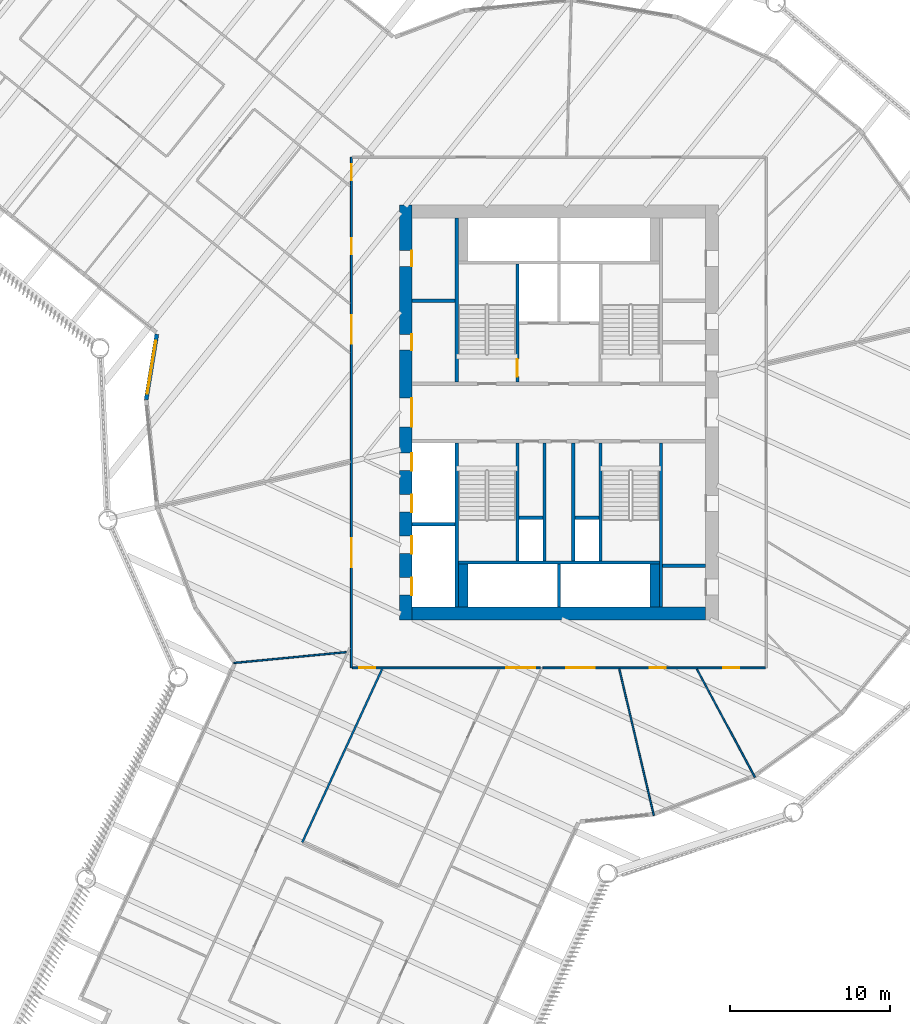
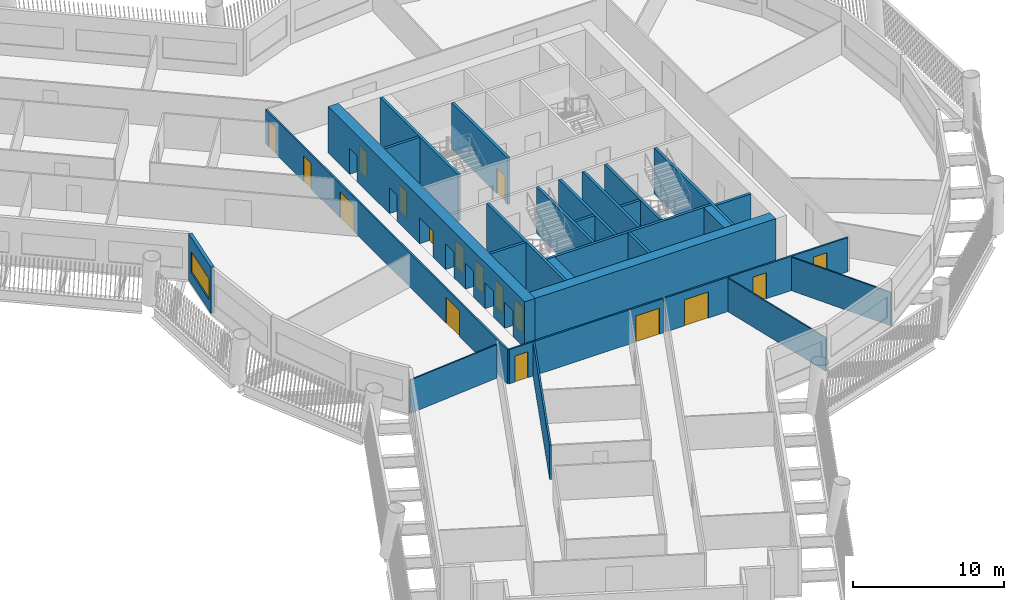
# One storey, part 4 of 16: 27 walls, 17 doors, 1 window, 18 openings.
"""IFC4 building model written with IfcOpenShell, lengths in metres."""

from ifc_helpers import new_model, si_unit, direction, frame, frame_2d, origin, place, context, subcontext, project, spatial, rectangle, extrude, material, layer, layer_set, type_object, element, fill, save


model = new_model("IFC4")

# Units and contexts
model_context = context("Model", 3, precision=1e-05, world=origin(), true_north=direction((0.0, 1.0)))
body_context = subcontext(model_context, "Body", "Model", "MODEL_VIEW")
ifc_project = project(units=[si_unit("LENGTHUNIT", "METRE"), si_unit("AREAUNIT", "SQUARE_METRE"), si_unit("VOLUMEUNIT", "CUBIC_METRE"), si_unit("PLANEANGLEUNIT", "RADIAN"), si_unit("MASSUNIT", "GRAM", prefix="KILO")], contexts=[model_context])

# Site, building, storey
site_placement = place(None, origin())
site = spatial("IfcSite", under=ifc_project, at=site_placement, CompositionType="ELEMENT")
building_placement = place(site_placement, origin())
building = spatial("IfcBuilding", under=site, at=building_placement, Name="Tarsis Ring Headquarters", CompositionType="ELEMENT")
storey_placement = place(building_placement, frame((0.0, 0.0, 112.300048828125)))
storey = spatial("IfcBuildingStorey", under=building, at=storey_placement, Name="L25", CompositionType="ELEMENT", Elevation=112.300048828125)

# Walls
ifc_material_1 = material(Name="Blockwork", Category="masonry")
ifc_layer_1 = layer(ifc_material_1, 0.199951171875)
ifc_layer_set_1 = layer_set([ifc_layer_1], Name="Core blockwork wall 200")
wall_type_1 = type_object("IfcWallType", Name="Core blockwork wall 200", PredefinedType="PARTITIONING", material=ifc_layer_set_1)
for number, where, z_axis, x_axis, name in (
    (1, (-9.199951171875, 7.0, 0.0), (0.0, 0.0, 1.0), (1.0, 0.0, 0.0), "Core partition WD6"),
    (2, (6.5, -9.60009765625, 0.0), (0.0, 0.0, 1.0), (1.0, 0.0, 0.0), "Core partition ED1"),
):
    element("IfcWall", number, at=place(storey_placement, frame(where, z_axis=z_axis, x_axis=x_axis)), inside=storey, type_object=wall_type_1, Name=name, PredefinedType="PARTITIONING", context=body_context, shape_type="SweptSolid", body=[
        extrude(rectangle(XDim=2.699951171875, YDim=0.199951171875, at=frame_2d((1.35009765625, 0.0))), origin(), (0.0, 0.0, 1.0), 3.739990234375),
    ])
for number, where, z_axis, x_axis, name in (
    (3, (-2.5, -6.60009765625, 0.0), (0.0, 0.0, 1.0), (1.0, 0.0, 0.0), "Core partition SP1"),
    (4, (1.0, -6.60009765625, 0.0), (0.0, 0.0, 1.0), (1.0, 0.0, 0.0), "Core partition SP3"),
):
    element("IfcWall", number, at=place(storey_placement, frame(where, z_axis=z_axis, x_axis=x_axis)), inside=storey, type_object=wall_type_1, Name=name, PredefinedType="PARTITIONING", context=body_context, shape_type="SweptSolid", body=[
        extrude(rectangle(XDim=1.5, YDim=0.199951171875, at=frame_2d((0.75, 0.0))), origin(), (0.0, 0.0, 1.0), 3.739990234375),
    ])
for number, where, z_axis, x_axis, name in (
    (5, (-0.89990234375, -9.300048828125, 0.0), (0.0, 0.0, 1.0), (0.0, 1.0, 0.0), "Core partition SV1"),
    (6, (0.89990234375, -9.300048828125, 0.0), (0.0, 0.0, 1.0), (0.0, 1.0, 0.0), "Core partition SV2"),
):
    element("IfcWall", number, at=place(storey_placement, frame(where, z_axis=z_axis, x_axis=x_axis)), inside=storey, type_object=wall_type_1, Name=name, PredefinedType="PARTITIONING", context=body_context, shape_type="SweptSolid", body=[
        extrude(rectangle(XDim=7.400146484375, YDim=0.199951171875, at=frame_2d((3.7001953125, 0.0))), origin(), (0.0, 0.0, 1.0), 3.739990234375),
    ])

# Wall, openings, doors
ifc_material_2 = material(Name="Concrete C60/75", Category="concrete")
ifc_layer_2 = layer(ifc_material_2, 0.800048828125)
ifc_layer_set_2 = layer_set([ifc_layer_2], Name="Core wall 800 C60/75")
wall_type_2 = type_object("IfcWallType", Name="Core wall 800 C60/75", PredefinedType="SHEAR", material=ifc_layer_set_2)
wall_1_placement = place(storey_placement, frame((-9.60009765625, -13.0, 0.0), z_axis=(0.0, 0.0, 1.0), x_axis=(0.0, 1.0, 0.0)))
wall_1 = element("IfcWall", 7, at=wall_1_placement, inside=storey, type_object=wall_type_2, Name="Core wall OW", PredefinedType="SHEAR", context=body_context, shape_type="SweptSolid", body=[
    extrude(rectangle(XDim=26.0, YDim=0.800048828125, at=frame_2d((13.0, 0.0))), origin(), (0.0, 0.0, 1.0), 3.739990234375),
])
opening_1_placement = place(wall_1_placement, frame((1.550048828125, 0.0, 0.0)))
opening_1 = element("IfcOpeningElement", 8, at=opening_1_placement, cuts=wall_1, Name="Opening LD-LR1", PredefinedType="OPENING", context=body_context, shape_type="SweptSolid", body=[
    extrude(rectangle(XDim=1.10009765625, YDim=2.10009765625, at=frame_2d((0.550048828125, 1.050048828125))), frame((0.0, 0.409912109375, 0.0), z_axis=(0.0, -1.0, 0.0), x_axis=(1.0, 0.0, 0.0)), (0.0, 0.0, 1.0), 0.820068359375),
])
opening_2_placement = place(wall_1_placement, frame((4.14990234375, 0.0, 0.0)))
opening_2 = element("IfcOpeningElement", 9, at=opening_2_placement, cuts=wall_1, Name="Opening LD-LR2", PredefinedType="OPENING", context=body_context, shape_type="SweptSolid", body=[
    extrude(rectangle(XDim=1.10009765625, YDim=2.10009765625, at=frame_2d((0.550048828125, 1.050048828125))), frame((0.0, 0.409912109375, 0.0), z_axis=(0.0, -1.0, 0.0), x_axis=(1.0, 0.0, 0.0)), (0.0, 0.0, 1.0), 0.820068359375),
])
opening_3_placement = place(wall_1_placement, frame((6.75, 0.0, 0.0)))
opening_3 = element("IfcOpeningElement", 10, at=opening_3_placement, cuts=wall_1, Name="Opening LD-LR3", PredefinedType="OPENING", context=body_context, shape_type="SweptSolid", body=[
    extrude(rectangle(XDim=1.10009765625, YDim=2.10009765625, at=frame_2d((0.550048828125, 1.050048828125))), frame((0.0, 0.409912109375, 0.0), z_axis=(0.0, -1.0, 0.0), x_axis=(1.0, 0.0, 0.0)), (0.0, 0.0, 1.0), 0.820068359375),
])
opening_4_placement = place(wall_1_placement, frame((9.35009765625, 0.0, 0.0)))
opening_4 = element("IfcOpeningElement", 11, at=opening_4_placement, cuts=wall_1, Name="Opening LD-LR4", PredefinedType="OPENING", context=body_context, shape_type="SweptSolid", body=[
    extrude(rectangle(XDim=1.10009765625, YDim=2.10009765625, at=frame_2d((0.550048828125, 1.050048828125))), frame((0.0, 0.409912109375, 0.0), z_axis=(0.0, -1.0, 0.0), x_axis=(1.0, 0.0, 0.0)), (0.0, 0.0, 1.0), 0.820068359375),
])
opening_5_placement = place(wall_1_placement, frame((12.10009765625, 0.0, 0.0)))
opening_5 = element("IfcOpeningElement", 12, at=opening_5_placement, cuts=wall_1, Name="Opening L25-C05", PredefinedType="OPENING", context=body_context, shape_type="SweptSolid", body=[
    extrude(rectangle(XDim=1.800048828125, YDim=2.10009765625, at=frame_2d((0.89990234375, 1.050048828125))), frame((0.0, 0.409912109375, 0.0), z_axis=(0.0, -1.0, 0.0), x_axis=(1.0, 0.0, 0.0)), (0.0, 0.0, 1.0), 0.820068359375),
])
opening_6_placement = place(wall_1_placement, frame((16.89990234375, 0.0, 0.0)))
opening_6 = element("IfcOpeningElement", 13, at=opening_6_placement, cuts=wall_1, Name="Opening L25-C06", PredefinedType="OPENING", context=body_context, shape_type="SweptSolid", body=[
    extrude(rectangle(XDim=1.0, YDim=2.10009765625, at=frame_2d((0.5, 1.050048828125))), frame((0.0, 0.409912109375, 0.0), z_axis=(0.0, -1.0, 0.0), x_axis=(1.0, 0.0, 0.0)), (0.0, 0.0, 1.0), 0.820068359375),
])
opening_7_placement = place(wall_1_placement, frame((22.14990234375, 0.0, 0.0)))
opening_7 = element("IfcOpeningElement", 14, at=opening_7_placement, cuts=wall_1, Name="Opening L25-C07", PredefinedType="OPENING", context=body_context, shape_type="SweptSolid", body=[
    extrude(rectangle(XDim=1.0, YDim=2.10009765625, at=frame_2d((0.5, 1.050048828125))), frame((0.0, 0.409912109375, 0.0), z_axis=(0.0, -1.0, 0.0), x_axis=(1.0, 0.0, 0.0)), (0.0, 0.0, 1.0), 0.820068359375),
])
ifc_material_3 = material(Name="Steel S355", Category="steel")
door_type_1 = type_object("IfcDoorType", Name="Core entry door 1800x2100", OperationType="DOUBLE_DOOR_SINGLE_SWING", PredefinedType="DOOR", material=ifc_material_3)
door_1_placement = place(opening_5_placement, origin())
door_1 = element("IfcDoor", 15, at=door_1_placement, inside=storey, type_object=door_type_1, Name="Core entry door L25", OperationType="DOUBLE_DOOR_SINGLE_SWING", OverallHeight=2.10009765625, OverallWidth=1.800048828125, PredefinedType="DOOR", context=body_context, shape_type="SweptSolid", body=[
    extrude(rectangle(XDim=1.800048828125, YDim=2.10009765625, at=frame_2d((0.89990234375, 1.050048828125))), frame((0.0, -0.35009765625, 0.0), z_axis=(0.0, -1.0, 0.0), x_axis=(1.0, 0.0, 0.0)), (0.0, 0.0, 1.0), 0.050048828125),
])
fill(opening_5, door_1)
door_type_2 = type_object("IfcDoorType", Name="Core room door 1000x2100", OperationType="SINGLE_SWING_LEFT", PredefinedType="DOOR", material=ifc_material_3)
door_2_placement = place(opening_6_placement, origin())
door_2 = element("IfcDoor", 16, at=door_2_placement, inside=storey, type_object=door_type_2, Name="Core room door L25", OperationType="SINGLE_SWING_LEFT", OverallHeight=2.10009765625, OverallWidth=1.0, PredefinedType="DOOR", context=body_context, shape_type="SweptSolid", body=[
    extrude(rectangle(XDim=1.0, YDim=2.10009765625, at=frame_2d((0.5, 1.050048828125))), frame((0.0, -0.35009765625, 0.0), z_axis=(0.0, -1.0, 0.0), x_axis=(1.0, 0.0, 0.0)), (0.0, 0.0, 1.0), 0.050048828125),
])
fill(opening_6, door_2)
door_3_placement = place(opening_7_placement, origin())
door_3 = element("IfcDoor", 17, at=door_3_placement, inside=storey, type_object=door_type_2, Name="Core room door L25", OperationType="SINGLE_SWING_LEFT", OverallHeight=2.10009765625, OverallWidth=1.0, PredefinedType="DOOR", context=body_context, shape_type="SweptSolid", body=[
    extrude(rectangle(XDim=1.0, YDim=2.10009765625, at=frame_2d((0.5, 1.050048828125))), frame((0.0, -0.35009765625, 0.0), z_axis=(0.0, -1.0, 0.0), x_axis=(1.0, 0.0, 0.0)), (0.0, 0.0, 1.0), 0.050048828125),
])
fill(opening_7, door_3)
door_type_3 = type_object("IfcDoorType", Name="Landing door 1100x2100", OperationType="SLIDING_TO_LEFT", PredefinedType="DOOR", material=ifc_material_3)
door_4_placement = place(opening_1_placement, origin())
door_4 = element("IfcDoor", 18, at=door_4_placement, inside=storey, type_object=door_type_3, Name="Landing door LR1 L25", OperationType="SLIDING_TO_LEFT", OverallHeight=2.10009765625, OverallWidth=1.10009765625, PredefinedType="DOOR", context=body_context, shape_type="SweptSolid", body=[
    extrude(rectangle(XDim=1.10009765625, YDim=2.10009765625, at=frame_2d((0.550048828125, 1.050048828125))), frame((0.0, -0.35009765625, 0.0), z_axis=(0.0, -1.0, 0.0), x_axis=(1.0, 0.0, 0.0)), (0.0, 0.0, 1.0), 0.050048828125),
])
fill(opening_1, door_4)
door_5_placement = place(opening_2_placement, origin())
door_5 = element("IfcDoor", 19, at=door_5_placement, inside=storey, type_object=door_type_3, Name="Landing door LR2 L25", OperationType="SLIDING_TO_LEFT", OverallHeight=2.10009765625, OverallWidth=1.10009765625, PredefinedType="DOOR", context=body_context, shape_type="SweptSolid", body=[
    extrude(rectangle(XDim=1.10009765625, YDim=2.10009765625, at=frame_2d((0.550048828125, 1.050048828125))), frame((0.0, -0.35009765625, 0.0), z_axis=(0.0, -1.0, 0.0), x_axis=(1.0, 0.0, 0.0)), (0.0, 0.0, 1.0), 0.050048828125),
])
fill(opening_2, door_5)
door_6_placement = place(opening_3_placement, origin())
door_6 = element("IfcDoor", 20, at=door_6_placement, inside=storey, type_object=door_type_3, Name="Landing door LR3 L25", OperationType="SLIDING_TO_LEFT", OverallHeight=2.10009765625, OverallWidth=1.10009765625, PredefinedType="DOOR", context=body_context, shape_type="SweptSolid", body=[
    extrude(rectangle(XDim=1.10009765625, YDim=2.10009765625, at=frame_2d((0.550048828125, 1.050048828125))), frame((0.0, -0.35009765625, 0.0), z_axis=(0.0, -1.0, 0.0), x_axis=(1.0, 0.0, 0.0)), (0.0, 0.0, 1.0), 0.050048828125),
])
fill(opening_3, door_6)
door_7_placement = place(opening_4_placement, origin())
door_7 = element("IfcDoor", 21, at=door_7_placement, inside=storey, type_object=door_type_3, Name="Landing door LR4 L25", OperationType="SLIDING_TO_LEFT", OverallHeight=2.10009765625, OverallWidth=1.10009765625, PredefinedType="DOOR", context=body_context, shape_type="SweptSolid", body=[
    extrude(rectangle(XDim=1.10009765625, YDim=2.10009765625, at=frame_2d((0.550048828125, 1.050048828125))), frame((0.0, -0.35009765625, 0.0), z_axis=(0.0, -1.0, 0.0), x_axis=(1.0, 0.0, 0.0)), (0.0, 0.0, 1.0), 0.050048828125),
])
fill(opening_4, door_7)

# Walls
wall_2_placement = place(storey_placement, frame((-9.199951171875, -12.60009765625, 0.0), z_axis=(0.0, 0.0, 1.0), x_axis=(1.0, 0.0, 0.0)))
element("IfcWall", 22, at=wall_2_placement, inside=storey, type_object=wall_type_2, Name="Core wall OS", PredefinedType="SHEAR", context=body_context, shape_type="SweptSolid", body=[
    extrude(rectangle(XDim=18.39990234375, YDim=0.800048828125, at=frame_2d((9.199951171875, 0.0))), origin(), (0.0, 0.0, 1.0), 3.739990234375),
])
ifc_material_4 = material(Name="Gypsum board on steel studs", Category="steel")
ifc_layer_3 = layer(ifc_material_4, 0.10009765625)
ifc_layer_set_3 = layer_set([ifc_layer_3], Name="FL partition 100 unrated")
wall_type_3 = type_object("IfcWallType", Name="FL partition 100 unrated", PredefinedType="PARTITIONING", material=ifc_layer_set_3)
wall_3_placement = place(storey_placement, frame((3.78662109375, -16.068115234375, 0.0), z_axis=(0.0, 0.0, 1.0), x_axis=(0.229356465984, -0.973342494455, 0.0)))
element("IfcWall", 23, at=wall_3_placement, inside=storey, type_object=wall_type_3, Name="Partition PW3", PredefinedType="PARTITIONING", context=body_context, shape_type="SweptSolid", body=[
    extrude(rectangle(XDim=9.439697265625, YDim=0.10009765625, at=frame_2d((4.7197265625, 0.0))), origin(), (0.0, 0.0, 1.0), 2.699951171875),
])
wall_4_placement = place(storey_placement, frame((8.643310546875, -16.079345703125, 0.0), z_axis=(0.0, 0.0, 1.0), x_axis=(0.473486511419, -0.8808010692, 0.0)))
element("IfcWall", 24, at=wall_4_placement, inside=storey, type_object=wall_type_3, Name="Partition PW3", PredefinedType="PARTITIONING", context=body_context, shape_type="SweptSolid", body=[
    extrude(rectangle(XDim=7.692626953125, YDim=0.10009765625, at=frame_2d((3.84619140625, 0.0))), origin(), (0.0, 0.0, 1.0), 2.699951171875),
])
wall_5_placement = place(storey_placement, frame((-20.363525390625, -15.69775390625, 0.0), z_axis=(0.0, 0.0, 1.0), x_axis=(0.995379725928, 0.096016671528, 0.0)))
element("IfcWall", 25, at=wall_5_placement, inside=storey, type_object=wall_type_3, Name="Partition PW3", PredefinedType="PARTITIONING", context=body_context, shape_type="SweptSolid", body=[
    extrude(rectangle(XDim=7.078857421875, YDim=0.10009765625, at=frame_2d((3.53955078125, 0.0))), origin(), (0.0, 0.0, 1.0), 2.699951171875),
])

# Wall, openings, doors
ifc_layer_4 = layer(ifc_material_4, 0.125)
ifc_layer_set_4 = layer_set([ifc_layer_4], Name="FL partition 125 EI 60 H2770")
wall_type_4 = type_object("IfcWallType", Name="FL partition 125 EI 60 H2770", PredefinedType="PARTITIONING", material=ifc_layer_set_4)
wall_6_placement = place(storey_placement, frame((-13.0, -16.0, 0.0), z_axis=(0.0, 0.0, 1.0), x_axis=(0.0, 1.0, 0.0)))
wall_6 = element("IfcWall", 26, at=wall_6_placement, inside=storey, type_object=wall_type_4, Name="Partition PW1", PredefinedType="PARTITIONING", context=body_context, shape_type="SweptSolid", body=[
    extrude(rectangle(XDim=32.0, YDim=0.125, at=frame_2d((16.0, 0.0))), origin(), (0.0, 0.0, 1.0), 2.77001953125),
])
opening_8_placement = place(wall_6_placement, frame((6.30810546875, 0.0, 0.0)))
opening_8 = element("IfcOpeningElement", 27, at=opening_8_placement, cuts=wall_6, Name="Opening D25.15", PredefinedType="OPENING", context=body_context, shape_type="SweptSolid", body=[
    extrude(rectangle(XDim=1.800048828125, YDim=2.10009765625, at=frame_2d((0.89990234375, 1.050048828125))), frame((0.0, 0.072509765625, 0.0), z_axis=(0.0, -1.0, 0.0), x_axis=(1.0, 0.0, 0.0)), (0.0, 0.0, 1.0), 0.14501953125),
])
opening_9_placement = place(wall_6_placement, frame((25.929931640625, 0.0, 0.0)))
opening_9 = element("IfcOpeningElement", 28, at=opening_9_placement, cuts=wall_6, Name="Opening D25.19", PredefinedType="OPENING", context=body_context, shape_type="SweptSolid", body=[
    extrude(rectangle(XDim=1.0, YDim=2.10009765625, at=frame_2d((0.5, 1.050048828125))), frame((0.0, 0.072509765625, 0.0), z_axis=(0.0, -1.0, 0.0), x_axis=(1.0, 0.0, 0.0)), (0.0, 0.0, 1.0), 0.14501953125),
])
opening_10_placement = place(wall_6_placement, frame((20.299072265625, 0.0, 0.0)))
opening_10 = element("IfcOpeningElement", 29, at=opening_10_placement, cuts=wall_6, Name="Opening D25.27", PredefinedType="OPENING", context=body_context, shape_type="SweptSolid", body=[
    extrude(rectangle(XDim=1.800048828125, YDim=2.10009765625, at=frame_2d((0.89990234375, 1.050048828125))), frame((0.0, 0.072509765625, 0.0), z_axis=(0.0, -1.0, 0.0), x_axis=(1.0, 0.0, 0.0)), (0.0, 0.0, 1.0), 0.14501953125),
])
opening_11_placement = place(wall_6_placement, frame((30.56103515625, 0.0, 0.0)))
opening_11 = element("IfcOpeningElement", 30, at=opening_11_placement, cuts=wall_6, Name="Opening D25.28", PredefinedType="OPENING", context=body_context, shape_type="SweptSolid", body=[
    extrude(rectangle(XDim=1.0, YDim=2.10009765625, at=frame_2d((0.5, 1.050048828125))), frame((0.0, 0.072509765625, 0.0), z_axis=(0.0, -1.0, 0.0), x_axis=(1.0, 0.0, 0.0)), (0.0, 0.0, 1.0), 0.14501953125),
])
ifc_material_5 = material(Name="Fire-rated timber door leaf in steel frame", Category="steel")
door_type_4 = type_object("IfcDoorType", Name="FL door FD60-1000", OperationType="NOTDEFINED", PredefinedType="DOOR", material=ifc_material_5)
door_8_placement = place(opening_9_placement, origin())
door_8 = element("IfcDoor", 31, at=door_8_placement, inside=storey, type_object=door_type_4, Name="Door D25.19", OperationType="SINGLE_SWING_RIGHT", OverallHeight=2.10009765625, OverallWidth=1.0, PredefinedType="DOOR", context=body_context, shape_type="SweptSolid", body=[
    extrude(rectangle(XDim=1.0, YDim=2.10009765625, at=frame_2d((0.5, 1.050048828125))), frame((0.0, 0.02490234375, 0.0), z_axis=(0.0, -1.0, 0.0), x_axis=(1.0, 0.0, 0.0)), (0.0, 0.0, 1.0), 0.050048828125),
])
fill(opening_9, door_8)
door_9_placement = place(opening_11_placement, origin())
door_9 = element("IfcDoor", 32, at=door_9_placement, inside=storey, type_object=door_type_4, Name="Door D25.28", OperationType="SINGLE_SWING_LEFT", OverallHeight=2.10009765625, OverallWidth=1.0, PredefinedType="DOOR", context=body_context, shape_type="SweptSolid", body=[
    extrude(rectangle(XDim=1.0, YDim=2.10009765625, at=frame_2d((0.5, 1.050048828125))), frame((0.0, 0.02490234375, 0.0), z_axis=(0.0, -1.0, 0.0), x_axis=(1.0, 0.0, 0.0)), (0.0, 0.0, 1.0), 0.050048828125),
])
fill(opening_11, door_9)
door_type_5 = type_object("IfcDoorType", Name="FL door FD60-1800", OperationType="DOUBLE_DOOR_SINGLE_SWING", PredefinedType="DOOR", material=ifc_material_5)
door_10_placement = place(opening_8_placement, origin())
door_10 = element("IfcDoor", 33, at=door_10_placement, inside=storey, type_object=door_type_5, Name="Door D25.15", OperationType="DOUBLE_DOOR_SINGLE_SWING", OverallHeight=2.10009765625, OverallWidth=1.800048828125, PredefinedType="DOOR", context=body_context, shape_type="SweptSolid", body=[
    extrude(rectangle(XDim=1.800048828125, YDim=2.10009765625, at=frame_2d((0.89990234375, 1.050048828125))), frame((0.0, 0.02490234375, 0.0), z_axis=(0.0, -1.0, 0.0), x_axis=(1.0, 0.0, 0.0)), (0.0, 0.0, 1.0), 0.050048828125),
])
fill(opening_8, door_10)
door_11_placement = place(opening_10_placement, origin())
door_11 = element("IfcDoor", 34, at=door_11_placement, inside=storey, type_object=door_type_5, Name="Door D25.27", OperationType="DOUBLE_DOOR_SINGLE_SWING", OverallHeight=2.10009765625, OverallWidth=1.800048828125, PredefinedType="DOOR", context=body_context, shape_type="SweptSolid", body=[
    extrude(rectangle(XDim=1.800048828125, YDim=2.10009765625, at=frame_2d((0.89990234375, 1.050048828125))), frame((0.0, 0.02490234375, 0.0), z_axis=(0.0, -1.0, 0.0), x_axis=(1.0, 0.0, 0.0)), (0.0, 0.0, 1.0), 0.050048828125),
])
fill(opening_10, door_11)

wall_7_placement = place(storey_placement, frame((-12.93994140625, -16.0, 0.0), z_axis=(0.0, 0.0, 1.0), x_axis=(1.0, 0.0, 0.0)))
wall_7 = element("IfcWall", 35, at=wall_7_placement, inside=storey, type_object=wall_type_4, Name="Partition PW1", PredefinedType="PARTITIONING", context=body_context, shape_type="SweptSolid", body=[
    extrude(rectangle(XDim=11.778564453125, YDim=0.125, at=frame_2d((5.88916015625, 0.0))), origin(), (0.0, 0.0, 1.0), 2.77001953125),
])
opening_12_placement = place(wall_7_placement, frame((0.42041015625, 0.0, 0.0)))
opening_12 = element("IfcOpeningElement", 36, at=opening_12_placement, cuts=wall_7, Name="Opening D25.25", PredefinedType="OPENING", context=body_context, shape_type="SweptSolid", body=[
    extrude(rectangle(XDim=1.0, YDim=2.10009765625, at=frame_2d((0.5, 1.050048828125))), frame((0.0, 0.072509765625, 0.0), z_axis=(0.0, -1.0, 0.0), x_axis=(1.0, 0.0, 0.0)), (0.0, 0.0, 1.0), 0.14501953125),
])
opening_13_placement = place(wall_7_placement, frame((9.655029296875, 0.0, 0.0)))
opening_13 = element("IfcOpeningElement", 37, at=opening_13_placement, cuts=wall_7, Name="Opening D25.26", PredefinedType="OPENING", context=body_context, shape_type="SweptSolid", body=[
    extrude(rectangle(XDim=1.800048828125, YDim=2.10009765625, at=frame_2d((0.89990234375, 1.050048828125))), frame((0.0, 0.072509765625, 0.0), z_axis=(0.0, -1.0, 0.0), x_axis=(1.0, 0.0, 0.0)), (0.0, 0.0, 1.0), 0.14501953125),
])
door_12_placement = place(opening_12_placement, origin())
door_12 = element("IfcDoor", 38, at=door_12_placement, inside=storey, type_object=door_type_4, Name="Door D25.25", OperationType="SINGLE_SWING_RIGHT", OverallHeight=2.10009765625, OverallWidth=1.0, PredefinedType="DOOR", context=body_context, shape_type="SweptSolid", body=[
    extrude(rectangle(XDim=1.0, YDim=2.10009765625, at=frame_2d((0.5, 1.050048828125))), frame((0.0, 0.02490234375, 0.0), z_axis=(0.0, -1.0, 0.0), x_axis=(1.0, 0.0, 0.0)), (0.0, 0.0, 1.0), 0.050048828125),
])
fill(opening_12, door_12)
door_13_placement = place(opening_13_placement, origin())
door_13 = element("IfcDoor", 39, at=door_13_placement, inside=storey, type_object=door_type_5, Name="Door D25.26", OperationType="DOUBLE_DOOR_SINGLE_SWING", OverallHeight=2.10009765625, OverallWidth=1.800048828125, PredefinedType="DOOR", context=body_context, shape_type="SweptSolid", body=[
    extrude(rectangle(XDim=1.800048828125, YDim=2.10009765625, at=frame_2d((0.89990234375, 1.050048828125))), frame((0.0, 0.02490234375, 0.0), z_axis=(0.0, -1.0, 0.0), x_axis=(1.0, 0.0, 0.0)), (0.0, 0.0, 1.0), 0.050048828125),
])
fill(opening_13, door_13)

wall_8_placement = place(storey_placement, frame((-1.0068359375, -16.0, 0.0), z_axis=(0.0, 0.0, 1.0), x_axis=(1.0, 0.0, 0.0)))
wall_8 = element("IfcWall", 40, at=wall_8_placement, inside=storey, type_object=wall_type_4, Name="Partition PW1", PredefinedType="PARTITIONING", context=body_context, shape_type="SweptSolid", body=[
    extrude(rectangle(XDim=13.94677734375, YDim=0.125, at=frame_2d((6.973388671875, 0.0))), origin(), (0.0, 0.0, 1.0), 2.77001953125),
])
opening_14_placement = place(wall_8_placement, frame((11.30712890625, 0.0, 0.0)))
opening_14 = element("IfcOpeningElement", 41, at=opening_14_placement, cuts=wall_8, Name="Opening D25.09", PredefinedType="OPENING", context=body_context, shape_type="SweptSolid", body=[
    extrude(rectangle(XDim=1.0, YDim=2.10009765625, at=frame_2d((0.5, 1.050048828125))), frame((0.0, 0.072509765625, 0.0), z_axis=(0.0, -1.0, 0.0), x_axis=(1.0, 0.0, 0.0)), (0.0, 0.0, 1.0), 0.14501953125),
])
opening_15_placement = place(wall_8_placement, frame((6.6923828125, 0.0, 0.0)))
opening_15 = element("IfcOpeningElement", 42, at=opening_15_placement, cuts=wall_8, Name="Opening D25.10", PredefinedType="OPENING", context=body_context, shape_type="SweptSolid", body=[
    extrude(rectangle(XDim=1.0, YDim=2.10009765625, at=frame_2d((0.5, 1.050048828125))), frame((0.0, 0.072509765625, 0.0), z_axis=(0.0, -1.0, 0.0), x_axis=(1.0, 0.0, 0.0)), (0.0, 0.0, 1.0), 0.14501953125),
])
opening_16_placement = place(wall_8_placement, frame((1.460205078125, 0.0, 0.0)))
opening_16 = element("IfcOpeningElement", 43, at=opening_16_placement, cuts=wall_8, Name="Opening D25.11", PredefinedType="OPENING", context=body_context, shape_type="SweptSolid", body=[
    extrude(rectangle(XDim=1.800048828125, YDim=2.10009765625, at=frame_2d((0.89990234375, 1.050048828125))), frame((0.0, 0.072509765625, 0.0), z_axis=(0.0, -1.0, 0.0), x_axis=(1.0, 0.0, 0.0)), (0.0, 0.0, 1.0), 0.14501953125),
])
door_14_placement = place(opening_14_placement, origin())
door_14 = element("IfcDoor", 44, at=door_14_placement, inside=storey, type_object=door_type_4, Name="Door D25.09", OperationType="SINGLE_SWING_RIGHT", OverallHeight=2.10009765625, OverallWidth=1.0, PredefinedType="DOOR", context=body_context, shape_type="SweptSolid", body=[
    extrude(rectangle(XDim=1.0, YDim=2.10009765625, at=frame_2d((0.5, 1.050048828125))), frame((0.0, 0.02490234375, 0.0), z_axis=(0.0, -1.0, 0.0), x_axis=(1.0, 0.0, 0.0)), (0.0, 0.0, 1.0), 0.050048828125),
])
fill(opening_14, door_14)
door_15_placement = place(opening_15_placement, origin())
door_15 = element("IfcDoor", 45, at=door_15_placement, inside=storey, type_object=door_type_4, Name="Door D25.10", OperationType="SINGLE_SWING_LEFT", OverallHeight=2.10009765625, OverallWidth=1.0, PredefinedType="DOOR", context=body_context, shape_type="SweptSolid", body=[
    extrude(rectangle(XDim=1.0, YDim=2.10009765625, at=frame_2d((0.5, 1.050048828125))), frame((0.0, 0.02490234375, 0.0), z_axis=(0.0, -1.0, 0.0), x_axis=(1.0, 0.0, 0.0)), (0.0, 0.0, 1.0), 0.050048828125),
])
fill(opening_15, door_15)
door_16_placement = place(opening_16_placement, origin())
door_16 = element("IfcDoor", 46, at=door_16_placement, inside=storey, type_object=door_type_5, Name="Door D25.11", OperationType="DOUBLE_DOOR_SINGLE_SWING", OverallHeight=2.10009765625, OverallWidth=1.800048828125, PredefinedType="DOOR", context=body_context, shape_type="SweptSolid", body=[
    extrude(rectangle(XDim=1.800048828125, YDim=2.10009765625, at=frame_2d((0.89990234375, 1.050048828125))), frame((0.0, 0.02490234375, 0.0), z_axis=(0.0, -1.0, 0.0), x_axis=(1.0, 0.0, 0.0)), (0.0, 0.0, 1.0), 0.050048828125),
])
fill(opening_16, door_16)

# Wall
wall_9_placement = place(storey_placement, frame((-16.08154296875, -26.942626953125, 0.0), z_axis=(0.0, 0.0, 1.0), x_axis=(0.418502690762, 0.908215556916, 0.0)))
element("IfcWall", 47, at=wall_9_placement, inside=storey, type_object=wall_type_4, Name="Partition PW1", PredefinedType="PARTITIONING", context=body_context, shape_type="SweptSolid", body=[
    extrude(rectangle(XDim=11.95849609375, YDim=0.125, at=frame_2d((5.979248046875, 0.0))), origin(), (0.0, 0.0, 1.0), 2.77001953125),
])

# Wall, opening, window
ifc_material_6 = material(Name="Terracotta clad insulated panel wall", Category="masonry")
ifc_layer_5 = layer(ifc_material_6, 0.25)
ifc_layer_set_5 = layer_set([ifc_layer_5], Name="Facade wall terracotta panel 250")
wall_type_5 = type_object("IfcWallType", Name="Facade wall terracotta panel 250", PredefinedType="STANDARD", material=ifc_layer_set_5)
wall_10_placement = place(storey_placement, frame((-25.191650390625, 4.905517578125, 0.0), z_axis=(0.0, 0.0, 1.0), x_axis=(-0.16060775143, -0.987018312992, 0.0)))
wall_10 = element("IfcWall", 48, at=wall_10_placement, inside=storey, type_object=wall_type_5, Name="External wall L25-02", PredefinedType="STANDARD", context=body_context, shape_type="SweptSolid", body=[
    extrude(rectangle(XDim=4.157470703125, YDim=0.25, at=frame_2d((2.07861328125, 0.0))), origin(), (0.0, 0.0, 1.0), 3.739990234375),
])
opening_17_placement = place(wall_10_placement, frame((0.420166015625, 0.0, 0.89990234375)))
opening_17 = element("IfcOpeningElement", 49, at=opening_17_placement, cuts=wall_10, Name="Opening WN01", PredefinedType="OPENING", context=body_context, shape_type="SweptSolid", body=[
    extrude(rectangle(XDim=3.35009765625, YDim=1.699951171875, at=frame_2d((1.675048828125, 0.85009765625))), frame((0.0, 0.135009765625, 0.0), z_axis=(0.0, -1.0, 0.0), x_axis=(1.0, 0.0, 0.0)), (0.0, 0.0, 1.0), 0.27001953125),
])
ifc_material_7 = material(Name="Aluminium framed double glazing", Category="aluminium")
window_type = type_object("IfcWindowType", Name="Facade window 3350 x 1700", PartitioningType="SINGLE_PANEL", PredefinedType="WINDOW", material=ifc_material_7)
window_placement = place(opening_17_placement, origin())
window = element("IfcWindow", 50, at=window_placement, inside=storey, type_object=window_type, Name="Window L25-02.1", OverallHeight=1.699951171875, OverallWidth=3.35009765625, PartitioningType="SINGLE_PANEL", PredefinedType="WINDOW", context=body_context, shape_type="SweptSolid", body=[
    extrude(rectangle(XDim=3.35009765625, YDim=1.699951171875, at=frame_2d((1.675048828125, 0.85009765625))), frame((0.0, 0.030029296875, 0.0), z_axis=(0.0, -1.0, 0.0), x_axis=(1.0, 0.0, 0.0)), (0.0, 0.0, 1.0), 0.06005859375),
])
fill(opening_17, window)

# Walls
ifc_material_8 = material(Name="Concrete C32/40", Category="concrete")
ifc_layer_6 = layer(ifc_material_8, 0.60009765625)
ifc_layer_set_6 = layer_set([ifc_layer_6], Name="Shaft end wall 600 C32/40")
wall_type_6 = type_object("IfcWallType", Name="Shaft end wall 600 C32/40", PredefinedType="SOLIDWALL", material=ifc_layer_set_6)
for number, where, z_axis, x_axis, name in (
    (51, (-6.0, -12.199951171875, 0.0), (0.0, 0.0, 1.0), (0.0, 1.0, 0.0), "Core shaft wall SNE1"),
    (52, (6.0, -12.199951171875, 0.0), (0.0, 0.0, 1.0), (0.0, 1.0, 0.0), "Core shaft wall SNE2"),
):
    element("IfcWall", number, at=place(storey_placement, frame(where, z_axis=z_axis, x_axis=x_axis)), inside=storey, type_object=wall_type_6, Name=name, PredefinedType="SOLIDWALL", context=body_context, shape_type="SweptSolid", body=[
        extrude(rectangle(XDim=2.699951171875, YDim=0.60009765625, at=frame_2d((1.35009765625, 0.0))), origin(), (0.0, 0.0, 1.0), 3.739990234375),
    ])
ifc_layer_7 = layer(ifc_material_8, 0.199951171875)
ifc_layer_set_7 = layer_set([ifc_layer_7], Name="Shaft wall 200 C32/40")
wall_type_7 = type_object("IfcWallType", Name="Shaft wall 200 C32/40", PredefinedType="SOLIDWALL", material=ifc_layer_set_7)
for number, where, z_axis, x_axis, name in (
    (53, (-6.39990234375, -12.199951171875, 0.0), (0.0, 0.0, 1.0), (0.0, 1.0, 0.0), "Core shaft wall WB1"),
    (54, (-6.39990234375, 1.89990234375, 0.0), (0.0, 0.0, 1.0), (0.0, 1.0, 0.0), "Core shaft wall WB2"),
    (55, (6.39990234375, -12.199951171875, 0.0), (0.0, 0.0, 1.0), (0.0, 1.0, 0.0), "Core shaft wall EB1"),
):
    element("IfcWall", number, at=place(storey_placement, frame(where, z_axis=z_axis, x_axis=x_axis)), inside=storey, type_object=wall_type_7, Name=name, PredefinedType="SOLIDWALL", context=body_context, shape_type="SweptSolid", body=[
        extrude(rectangle(XDim=10.300048828125, YDim=0.199951171875, at=frame_2d((5.14990234375, 0.0))), origin(), (0.0, 0.0, 1.0), 3.739990234375),
    ])
wall_11_placement = place(storey_placement, frame((-6.300048828125, -9.39990234375, 0.0), z_axis=(0.0, 0.0, 1.0), x_axis=(1.0, 0.0, 0.0)))
element("IfcWall", 56, at=wall_11_placement, inside=storey, type_object=wall_type_7, Name="Core shaft wall SB", PredefinedType="SOLIDWALL", context=body_context, shape_type="SweptSolid", body=[
    extrude(rectangle(XDim=12.60009765625, YDim=0.199951171875, at=frame_2d((6.300048828125, 0.0))), origin(), (0.0, 0.0, 1.0), 3.739990234375),
])

# Wall, opening, door
wall_12_placement = place(storey_placement, frame((-2.60009765625, 1.89990234375, 0.0), z_axis=(0.0, 0.0, 1.0), x_axis=(0.0, 1.0, 0.0)))
wall_12 = element("IfcWall", 57, at=wall_12_placement, inside=storey, type_object=wall_type_7, Name="Core shaft wall SW1", PredefinedType="SOLIDWALL", context=body_context, shape_type="SweptSolid", body=[
    extrude(rectangle(XDim=7.400146484375, YDim=0.199951171875, at=frame_2d((3.7001953125, 0.0))), origin(), (0.0, 0.0, 1.0), 3.739990234375),
])
opening_18_placement = place(wall_12_placement, frame((0.35009765625, 0.0, 0.0)))
opening_18 = element("IfcOpeningElement", 58, at=opening_18_placement, cuts=wall_12, Name="Opening L25-C22", PredefinedType="OPENING", context=body_context, shape_type="SweptSolid", body=[
    extrude(rectangle(XDim=1.10009765625, YDim=2.10009765625, at=frame_2d((0.550048828125, 1.050048828125))), frame((0.0, 0.10986328125, 0.0), z_axis=(0.0, -1.0, 0.0), x_axis=(1.0, 0.0, 0.0)), (0.0, 0.0, 1.0), 0.219970703125),
])
door_type_6 = type_object("IfcDoorType", Name="Stair door 1100x2100", OperationType="SINGLE_SWING_LEFT", PredefinedType="DOOR", material=ifc_material_3)
door_17_placement = place(opening_18_placement, origin())
door_17 = element("IfcDoor", 59, at=door_17_placement, inside=storey, type_object=door_type_6, Name="Stair door L25", OperationType="SINGLE_SWING_LEFT", OverallHeight=2.10009765625, OverallWidth=1.10009765625, PredefinedType="DOOR", context=body_context, shape_type="SweptSolid", body=[
    extrude(rectangle(XDim=1.10009765625, YDim=2.10009765625, at=frame_2d((0.550048828125, 1.050048828125))), frame((0.0, 0.02490234375, 0.0), z_axis=(0.0, -1.0, 0.0), x_axis=(1.0, 0.0, 0.0)), (0.0, 0.0, 1.0), 0.050048828125),
])
fill(opening_18, door_17)

# Walls
for number, where, z_axis, x_axis, name in (
    (60, (-2.60009765625, -9.300048828125, 0.0), (0.0, 0.0, 1.0), (0.0, 1.0, 0.0), "Core shaft wall SW3"),
    (61, (2.60009765625, -9.300048828125, 0.0), (0.0, 0.0, 1.0), (0.0, 1.0, 0.0), "Core shaft wall SW4"),
):
    element("IfcWall", number, at=place(storey_placement, frame(where, z_axis=z_axis, x_axis=x_axis)), inside=storey, type_object=wall_type_7, Name=name, PredefinedType="SOLIDWALL", context=body_context, shape_type="SweptSolid", body=[
        extrude(rectangle(XDim=7.400146484375, YDim=0.199951171875, at=frame_2d((3.7001953125, 0.0))), origin(), (0.0, 0.0, 1.0), 3.739990234375),
    ])
for number, where, z_axis, x_axis, name in (
    (62, (-9.199951171875, -7.0, 0.0), (0.0, 0.0, 1.0), (1.0, 0.0, 0.0), "Core shaft wall WD2"),
    (63, (0.0, -12.199951171875, 0.0), (0.0, 0.0, 1.0), (0.0, 1.0, 0.0), "Core shaft wall SD2"),
):
    element("IfcWall", number, at=place(storey_placement, frame(where, z_axis=z_axis, x_axis=x_axis)), inside=storey, type_object=wall_type_7, Name=name, PredefinedType="SOLIDWALL", context=body_context, shape_type="SweptSolid", body=[
        extrude(rectangle(XDim=2.699951171875, YDim=0.199951171875, at=frame_2d((1.35009765625, 0.0))), origin(), (0.0, 0.0, 1.0), 3.739990234375),
    ])

save(model, "model.ifc")
